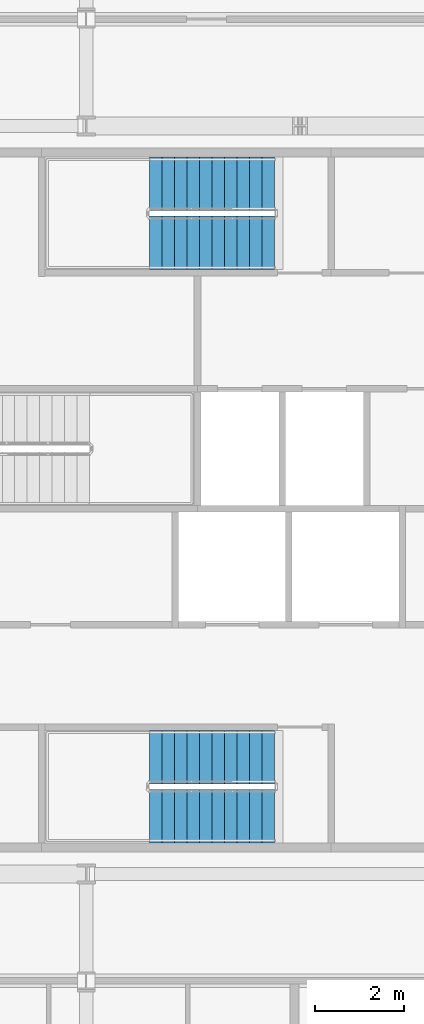
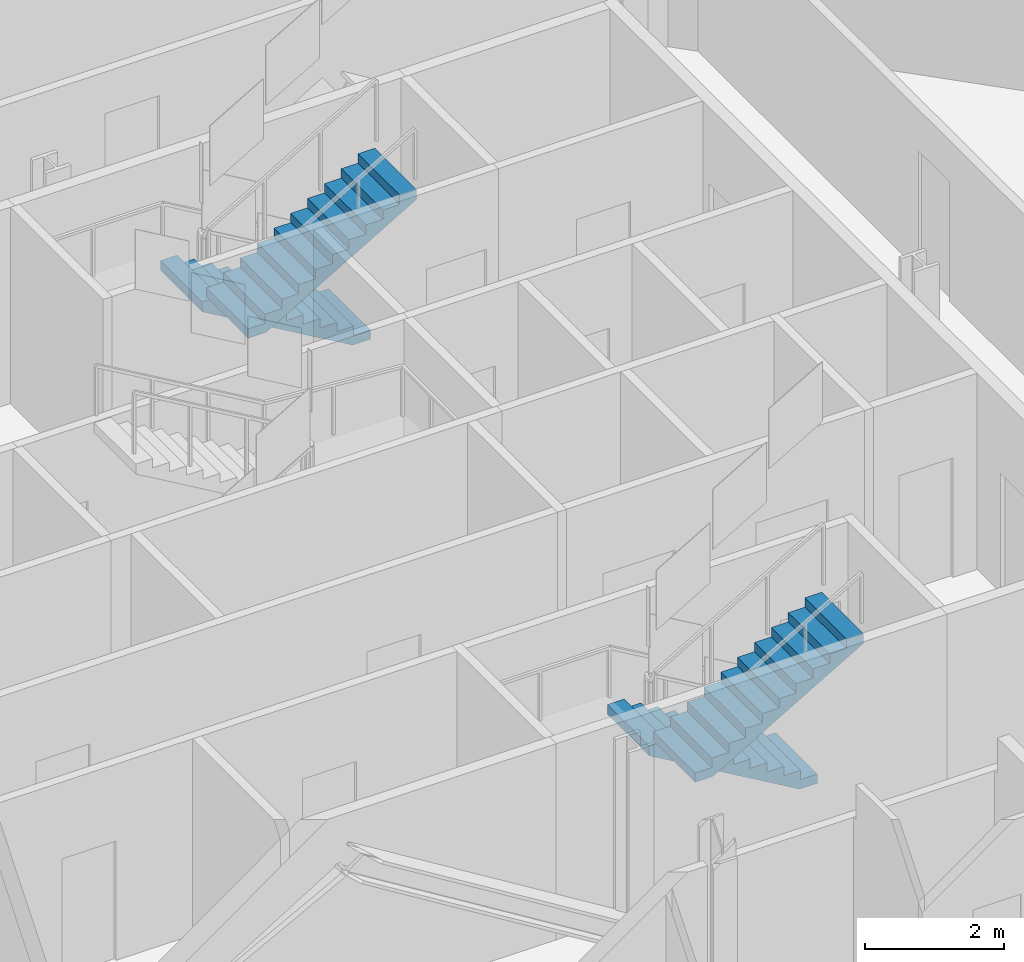
# One storey, part 14 of 21: 4 stair flights, 2 elements without a shape of their own.
"""IFC4 building model written with IfcOpenShell, lengths in metres."""

from ifc_helpers import new_model, si_unit, direction, frame, origin, place, context, subcontext, project, spatial, polyline, outline, extrude, material, type_object, element, aggregate, save


model = new_model("IFC4")

# Units and contexts
model_context = context("Model", 3, precision=1e-05, world=origin(), true_north=direction((0.0, 1.0)))
body_context = subcontext(model_context, "Body", "Model", "MODEL_VIEW")
ifc_project = project(units=[si_unit("LENGTHUNIT", "METRE"), si_unit("AREAUNIT", "SQUARE_METRE"), si_unit("VOLUMEUNIT", "CUBIC_METRE"), si_unit("PLANEANGLEUNIT", "RADIAN"), si_unit("MASSUNIT", "GRAM", prefix="KILO")], contexts=[model_context])

# Site, building, storey
site_placement = place(None, origin())
site = spatial("IfcSite", under=ifc_project, at=site_placement, CompositionType="ELEMENT")
building_placement = place(site_placement, origin())
building = spatial("IfcBuilding", under=site, at=building_placement, Name="Cairn Pilgrim Tower", CompositionType="ELEMENT")
storey_placement = place(building_placement, frame((0.0, 0.0, 150.60009765625)))
storey = spatial("IfcBuildingStorey", under=building, at=storey_placement, Name="L37", CompositionType="ELEMENT", Elevation=150.60009765625)

# Stair, stair flights
ifc_material = material(Name="Concrete C32/40", Category="concrete")
stair_type = type_object("IfcStairType", Name="EXIT STAIR 1200", PredefinedType="HALF_TURN_STAIR", material=ifc_material)
stair_1_placement = place(storey_placement, origin())
stair_1 = element("IfcStair", 1, at=stair_1_placement, inside=storey, type_object=stair_type, Name="L37 Exit Stair A", PredefinedType="HALF_TURN_STAIR")
stair_flight_type = type_object("IfcStairFlightType", Name="STAIR FLIGHT 1200", PredefinedType="STRAIGHT", material=ifc_material)
stair_flight_1_placement = place(storey_placement, frame((11.425048828125, -3.375, 0.0), z_axis=(0.0, 0.0, 1.0), x_axis=(-1.0, 0.0, 0.0)))
stair_flight_1 = element("IfcStairFlight", 2, at=stair_flight_1_placement, type_object=stair_flight_type, Name="ST-A flight 1", NumberOfRisers=11, NumberOfTreads=10, PredefinedType="STRAIGHT", RiserHeight=0.163636364, TreadLength=0.28, context=body_context, shape_type="SweptSolid", body=[
    extrude(outline(polyline([(0.0, 0.0), (0.0, 0.16357421875), (0.280029296875, 0.16357421875), (0.280029296875, 0.327392578125), (0.56005859375, 0.327392578125), (0.56005859375, 0.490966796875), (0.840087890625, 0.490966796875), (0.840087890625, 0.654541015625), (1.1201171875, 0.654541015625), (1.1201171875, 0.818115234375), (1.39990234375, 0.818115234375), (1.39990234375, 0.98193359375), (1.679931640625, 0.98193359375), (1.679931640625, 1.1455078125), (1.9599609375, 1.1455078125), (1.9599609375, 1.30908203125), (2.239990234375, 1.30908203125), (2.239990234375, 1.47265625), (2.52001953125, 1.47265625), (2.52001953125, 1.636474609375), (2.800048828125, 1.636474609375), (2.800048828125, 1.800048828125), (2.800048828125, 1.462646484375), (0.297119140625, 0.0), (0.0, 0.0)])), frame((0.0, 0.60009765625, 0.0), z_axis=(0.0, -1.0, 0.0), x_axis=(1.0, 0.0, 0.0)), (0.0, 0.0, 1.0), 1.199951171875),
])
stair_flight_2_placement = place(storey_placement, frame((8.625, -4.699951171875, 1.7998046875), z_axis=(0.0, 0.0, 1.0), x_axis=(1.0, 0.0, 0.0)))
stair_flight_2 = element("IfcStairFlight", 3, at=stair_flight_2_placement, type_object=stair_flight_type, Name="ST-A flight 2", NumberOfRisers=11, NumberOfTreads=10, PredefinedType="STRAIGHT", RiserHeight=0.163636364, TreadLength=0.28, context=body_context, shape_type="SweptSolid", body=[
    extrude(outline(polyline([(0.0, 0.0), (0.0, 0.16357421875), (0.280029296875, 0.16357421875), (0.280029296875, 0.327392578125), (0.56005859375, 0.327392578125), (0.56005859375, 0.490966796875), (0.840087890625, 0.490966796875), (0.840087890625, 0.654541015625), (1.1201171875, 0.654541015625), (1.1201171875, 0.818115234375), (1.39990234375, 0.818115234375), (1.39990234375, 0.98193359375), (1.679931640625, 0.98193359375), (1.679931640625, 1.1455078125), (1.9599609375, 1.1455078125), (1.9599609375, 1.30908203125), (2.239990234375, 1.30908203125), (2.239990234375, 1.47265625), (2.52001953125, 1.47265625), (2.52001953125, 1.636474609375), (2.800048828125, 1.636474609375), (2.800048828125, 1.800048828125), (2.800048828125, 1.462646484375), (0.297119140625, 0.0), (0.0, 0.0)])), frame((0.0, 0.60009765625, 0.0), z_axis=(0.0, -1.0, 0.0), x_axis=(1.0, 0.0, 0.0)), (0.0, 0.0, 1.0), 1.199951171875),
])
aggregate(stair_1, [stair_flight_1, stair_flight_2])

stair_2_placement = place(storey_placement, origin())
stair_2 = element("IfcStair", 4, at=stair_2_placement, inside=storey, type_object=stair_type, Name="L37 Exit Stair C", PredefinedType="HALF_TURN_STAIR")
stair_flight_3_placement = place(storey_placement, frame((11.425048828125, 9.5, 0.0), z_axis=(0.0, 0.0, 1.0), x_axis=(-1.0, 0.0, 0.0)))
stair_flight_3 = element("IfcStairFlight", 5, at=stair_flight_3_placement, type_object=stair_flight_type, Name="ST-C flight 1", NumberOfRisers=11, NumberOfTreads=10, PredefinedType="STRAIGHT", RiserHeight=0.163636364, TreadLength=0.28, context=body_context, shape_type="SweptSolid", body=[
    extrude(outline(polyline([(0.0, 0.0), (0.0, 0.16357421875), (0.280029296875, 0.16357421875), (0.280029296875, 0.327392578125), (0.56005859375, 0.327392578125), (0.56005859375, 0.490966796875), (0.840087890625, 0.490966796875), (0.840087890625, 0.654541015625), (1.1201171875, 0.654541015625), (1.1201171875, 0.818115234375), (1.39990234375, 0.818115234375), (1.39990234375, 0.98193359375), (1.679931640625, 0.98193359375), (1.679931640625, 1.1455078125), (1.9599609375, 1.1455078125), (1.9599609375, 1.30908203125), (2.239990234375, 1.30908203125), (2.239990234375, 1.47265625), (2.52001953125, 1.47265625), (2.52001953125, 1.636474609375), (2.800048828125, 1.636474609375), (2.800048828125, 1.800048828125), (2.800048828125, 1.462646484375), (0.297119140625, 0.0), (0.0, 0.0)])), frame((0.0, 0.60009765625, 0.0), z_axis=(0.0, -1.0, 0.0), x_axis=(1.0, 0.0, 0.0)), (0.0, 0.0, 1.0), 1.199951171875),
])
stair_flight_4_placement = place(storey_placement, frame((8.625, 8.175048828125, 1.7998046875), z_axis=(0.0, 0.0, 1.0), x_axis=(1.0, 0.0, 0.0)))
stair_flight_4 = element("IfcStairFlight", 6, at=stair_flight_4_placement, type_object=stair_flight_type, Name="ST-C flight 2", NumberOfRisers=11, NumberOfTreads=10, PredefinedType="STRAIGHT", RiserHeight=0.163636364, TreadLength=0.28, context=body_context, shape_type="SweptSolid", body=[
    extrude(outline(polyline([(0.0, 0.0), (0.0, 0.16357421875), (0.280029296875, 0.16357421875), (0.280029296875, 0.327392578125), (0.56005859375, 0.327392578125), (0.56005859375, 0.490966796875), (0.840087890625, 0.490966796875), (0.840087890625, 0.654541015625), (1.1201171875, 0.654541015625), (1.1201171875, 0.818115234375), (1.39990234375, 0.818115234375), (1.39990234375, 0.98193359375), (1.679931640625, 0.98193359375), (1.679931640625, 1.1455078125), (1.9599609375, 1.1455078125), (1.9599609375, 1.30908203125), (2.239990234375, 1.30908203125), (2.239990234375, 1.47265625), (2.52001953125, 1.47265625), (2.52001953125, 1.636474609375), (2.800048828125, 1.636474609375), (2.800048828125, 1.800048828125), (2.800048828125, 1.462646484375), (0.297119140625, 0.0), (0.0, 0.0)])), frame((0.0, 0.60009765625, 0.0), z_axis=(0.0, -1.0, 0.0), x_axis=(1.0, 0.0, 0.0)), (0.0, 0.0, 1.0), 1.199951171875),
])
aggregate(stair_2, [stair_flight_3, stair_flight_4])

save(model, "model.ifc")
